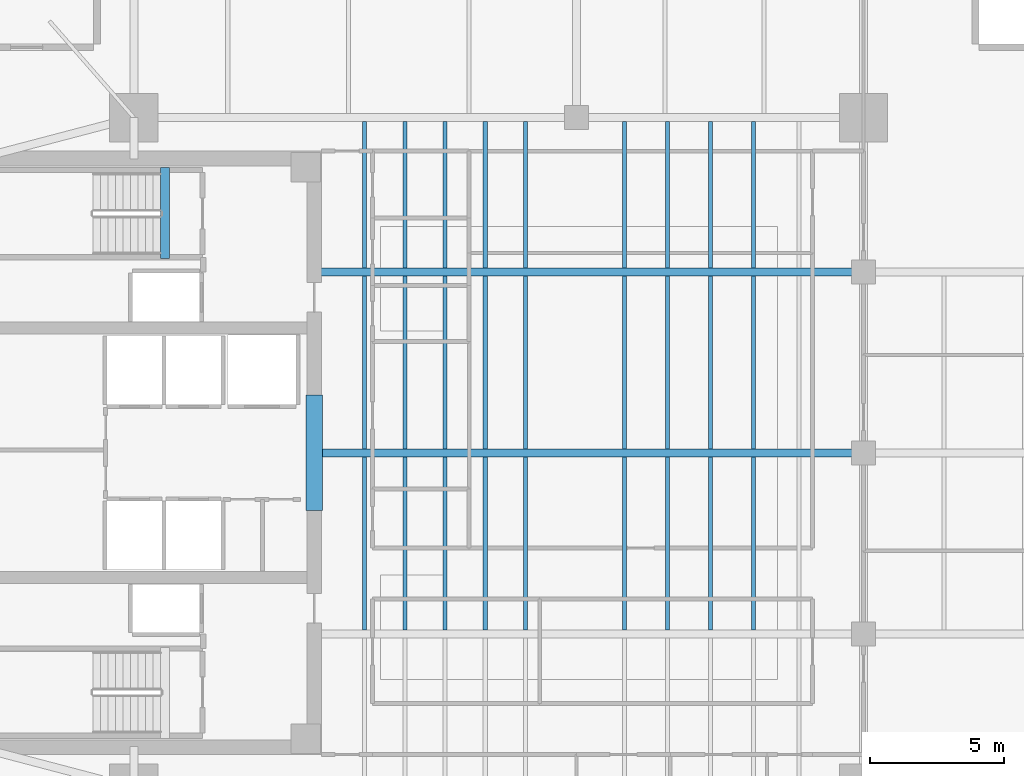
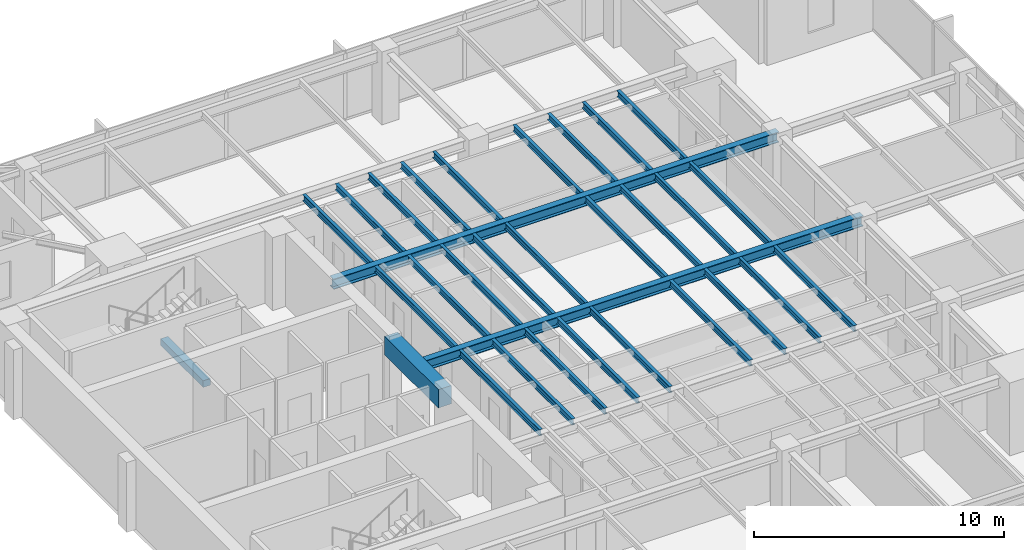
# One storey, part 3 of 14: 31 beams.
"""IFC4 building model written with IfcOpenShell, lengths in metres."""

from ifc_helpers import new_model, si_unit, direction, frame, origin, origin_2d, place, context, subcontext, project, spatial, rectangle, i_section, extrude, material, material_profile, profile_set, type_object, element, save


model = new_model("IFC4")

# Units and contexts
model_context = context("Model", 3, precision=1e-05, world=origin(), true_north=direction((0.0, 1.0)))
body_context = subcontext(model_context, "Body", "Model", "MODEL_VIEW")
ifc_project = project(units=[si_unit("LENGTHUNIT", "METRE"), si_unit("AREAUNIT", "SQUARE_METRE"), si_unit("VOLUMEUNIT", "CUBIC_METRE"), si_unit("PLANEANGLEUNIT", "RADIAN"), si_unit("MASSUNIT", "GRAM", prefix="KILO")], contexts=[model_context])

# Site, building, storey
site_placement = place(None, origin())
site = spatial("IfcSite", under=ifc_project, at=site_placement, CompositionType="ELEMENT")
building_placement = place(site_placement, origin())
building = spatial("IfcBuilding", under=site, at=building_placement, Name="Kinhvarn Gate Tower", CompositionType="ELEMENT")
storey_placement = place(building_placement, frame((0.0, 0.0, 227.10009765625)))
storey = spatial("IfcBuildingStorey", under=building, at=storey_placement, Name="L60", CompositionType="ELEMENT", Elevation=227.10009765625)

# Beams
ifc_material_1 = material(Name="Concrete C60/75", Category="concrete")
ifc_material_profile_1 = material_profile(ifc_material_1, rectangle(XDim=0.60009765625, YDim=0.89990234375, at=origin_2d()), Name="RC 600x900")
ifc_profile_set_1 = profile_set([ifc_material_profile_1], Name="Concrete C60/75")
beam_type_1 = type_object("IfcBeamType", Name="BM-CB-900", PredefinedType="LINTEL", material=ifc_profile_set_1)
beam_1_placement = place(storey_placement, frame((17.72509765625, 23.10009765625, 2.919921875), z_axis=(0.0, 1.0, 0.0), x_axis=(-1.0, 0.0, 0.0)))
element("IfcBeam", 1, at=beam_1_placement, inside=storey, type_object=beam_type_1, Name="Core East Portal Coupling Beam L60", PredefinedType="LINTEL", context=body_context, shape_type="SweptSolid", body=[
    extrude(rectangle(XDim=0.60009765625, YDim=0.89990234375, at=origin_2d()), origin(), (0.0, 0.0, 1.0), 4.2998046875),
])
ifc_material_2 = material(Name="Concrete C50/60", Category="concrete")
ifc_material_profile_2 = material_profile(ifc_material_2, rectangle(XDim=0.340087890625, YDim=0.320068359375, at=origin_2d()), Name="RC 340x320")
ifc_profile_set_2 = profile_set([ifc_material_profile_2], Name="Concrete C50/60")
beam_type_2 = type_object("IfcBeamType", Name="BM-LND-500", PredefinedType="BEAM", material=ifc_profile_set_2)
beam_2_placement = place(storey_placement, frame((12.1650390625, 32.5, -0.16015625), z_axis=(0.0, 1.0, 0.0), x_axis=(-1.0, 0.0, 0.0)))
element("IfcBeam", 2, at=beam_2_placement, inside=storey, type_object=beam_type_2, Name="Stair ST2 Landing Nosing Beam (L60)", PredefinedType="BEAM", context=body_context, shape_type="SweptSolid", body=[
    extrude(rectangle(XDim=0.340087890625, YDim=0.320068359375, at=origin_2d()), origin(), (0.0, 0.0, 1.0), 3.39990234375),
])
ifc_material_3 = material(Name="Steel S355", Category="steel")
ifc_material_profile_3 = material_profile(ifc_material_3, i_section(OverallWidth=0.300048828125, OverallDepth=0.5, WebThickness=0.014404296875, FlangeThickness=0.028076171875, at=origin_2d()), Name="HEB 500")
ifc_profile_set_3 = profile_set([ifc_material_profile_3], Name="Steel S355")
beam_type_3 = type_object("IfcBeamType", Name="STL-HEB500", PredefinedType="BEAM", material=ifc_profile_set_3)
beam_3_placement = place(storey_placement, frame((18.02490234375, 25.25, 3.119873046875), z_axis=(1.0, 0.0, 0.0), x_axis=(0.0, 1.0, 0.0)))
element("IfcBeam", 3, at=beam_3_placement, inside=storey, type_object=beam_type_3, Name="Floor Beam PG-14 (L60 EW1-Y25)", PredefinedType="BEAM", context=body_context, shape_type="SweptSolid", body=[
    extrude(i_section(OverallWidth=0.300048828125, OverallDepth=0.5, WebThickness=0.014404296875, FlangeThickness=0.028076171875, at=origin_2d()), origin(), (0.0, 0.0, 1.0), 20.175048828125),
])
beam_4_placement = place(storey_placement, frame((17.64990234375, 32.0, 3.119873046875), z_axis=(1.0, 0.0, 0.0), x_axis=(0.0, 1.0, 0.0)))
element("IfcBeam", 4, at=beam_4_placement, inside=storey, type_object=beam_type_3, Name="Floor Beam PG-14 (L60 EW1-Y32)", PredefinedType="BEAM", context=body_context, shape_type="SweptSolid", body=[
    extrude(i_section(OverallWidth=0.300048828125, OverallDepth=0.5, WebThickness=0.014404296875, FlangeThickness=0.028076171875, at=origin_2d()), origin(), (0.0, 0.0, 1.0), 20.550048828125),
])
ifc_material_profile_4 = material_profile(ifc_material_3, i_section(OverallWidth=0.14990234375, OverallDepth=0.300048828125, WebThickness=0.007080078125, FlangeThickness=0.0107421875, at=origin_2d()), Name="IPE 300")
ifc_profile_set_4 = profile_set([ifc_material_profile_4], Name="Steel S355")
beam_type_4 = type_object("IfcBeamType", Name="STL-IPE300", PredefinedType="JOIST", material=ifc_profile_set_4)
for number, where, z_axis, x_axis, name in (
    (5, (19.60009765625, 18.64990234375, 3.219970703125), (0.0, 1.0, 0.0), (-1.0, 0.0, 0.0), "Floor Joist SB-02 (L60 JC-X196-1)"),
    (6, (19.60009765625, 25.39990234375, 3.219970703125), (0.0, 1.0, 0.0), (-1.0, 0.0, 0.0), "Floor Joist SB-02 (L60 JC-X196-2)"),
):
    element("IfcBeam", number, at=place(storey_placement, frame(where, z_axis=z_axis, x_axis=x_axis)), inside=storey, type_object=beam_type_4, Name=name, PredefinedType="JOIST", context=body_context, shape_type="SweptSolid", body=[
        extrude(i_section(OverallWidth=0.14990234375, OverallDepth=0.300048828125, WebThickness=0.007080078125, FlangeThickness=0.0107421875, at=origin_2d()), origin(), (0.0, 0.0, 1.0), 6.4501953125),
    ])
beam_5_placement = place(storey_placement, frame((19.60009765625, 32.14990234375, 3.219970703125), z_axis=(0.0, 1.0, 0.0), x_axis=(-1.0, 0.0, 0.0)))
element("IfcBeam", 7, at=beam_5_placement, inside=storey, type_object=beam_type_4, Name="Floor Joist SB-02 (L60 JC-X196-3)", PredefinedType="JOIST", context=body_context, shape_type="SweptSolid", body=[
    extrude(i_section(OverallWidth=0.14990234375, OverallDepth=0.300048828125, WebThickness=0.007080078125, FlangeThickness=0.0107421875, at=origin_2d()), origin(), (0.0, 0.0, 1.0), 5.4501953125),
])
for number, where, z_axis, x_axis, name in (
    (8, (21.10009765625, 18.64990234375, 3.219970703125), (0.0, 1.0, 0.0), (-1.0, 0.0, 0.0), "Floor Joist SB-02 (L60 JC-X211-1)"),
    (9, (21.10009765625, 25.39990234375, 3.219970703125), (0.0, 1.0, 0.0), (-1.0, 0.0, 0.0), "Floor Joist SB-02 (L60 JC-X211-2)"),
):
    element("IfcBeam", number, at=place(storey_placement, frame(where, z_axis=z_axis, x_axis=x_axis)), inside=storey, type_object=beam_type_4, Name=name, PredefinedType="JOIST", context=body_context, shape_type="SweptSolid", body=[
        extrude(i_section(OverallWidth=0.14990234375, OverallDepth=0.300048828125, WebThickness=0.007080078125, FlangeThickness=0.0107421875, at=origin_2d()), origin(), (0.0, 0.0, 1.0), 6.4501953125),
    ])
beam_6_placement = place(storey_placement, frame((21.10009765625, 32.14990234375, 3.219970703125), z_axis=(0.0, 1.0, 0.0), x_axis=(-1.0, 0.0, 0.0)))
element("IfcBeam", 10, at=beam_6_placement, inside=storey, type_object=beam_type_4, Name="Floor Joist SB-02 (L60 JC-X211-3)", PredefinedType="JOIST", context=body_context, shape_type="SweptSolid", body=[
    extrude(i_section(OverallWidth=0.14990234375, OverallDepth=0.300048828125, WebThickness=0.007080078125, FlangeThickness=0.0107421875, at=origin_2d()), origin(), (0.0, 0.0, 1.0), 5.4501953125),
])
for number, where, z_axis, x_axis, name in (
    (11, (22.60009765625, 18.64990234375, 3.219970703125), (0.0, 1.0, 0.0), (-1.0, 0.0, 0.0), "Floor Joist SB-02 (L60 JC-X226-1)"),
    (12, (22.60009765625, 25.39990234375, 3.219970703125), (0.0, 1.0, 0.0), (-1.0, 0.0, 0.0), "Floor Joist SB-02 (L60 JC-X226-2)"),
):
    element("IfcBeam", number, at=place(storey_placement, frame(where, z_axis=z_axis, x_axis=x_axis)), inside=storey, type_object=beam_type_4, Name=name, PredefinedType="JOIST", context=body_context, shape_type="SweptSolid", body=[
        extrude(i_section(OverallWidth=0.14990234375, OverallDepth=0.300048828125, WebThickness=0.007080078125, FlangeThickness=0.0107421875, at=origin_2d()), origin(), (0.0, 0.0, 1.0), 6.4501953125),
    ])
beam_7_placement = place(storey_placement, frame((22.60009765625, 32.14990234375, 3.219970703125), z_axis=(0.0, 1.0, 0.0), x_axis=(-1.0, 0.0, 0.0)))
element("IfcBeam", 13, at=beam_7_placement, inside=storey, type_object=beam_type_4, Name="Floor Joist SB-02 (L60 JC-X226-3)", PredefinedType="JOIST", context=body_context, shape_type="SweptSolid", body=[
    extrude(i_section(OverallWidth=0.14990234375, OverallDepth=0.300048828125, WebThickness=0.007080078125, FlangeThickness=0.0107421875, at=origin_2d()), origin(), (0.0, 0.0, 1.0), 5.4501953125),
])
for number, where, z_axis, x_axis, name in (
    (14, (24.10009765625, 18.64990234375, 3.219970703125), (0.0, 1.0, 0.0), (-1.0, 0.0, 0.0), "Floor Joist SB-02 (L60 JC-X241-1)"),
    (15, (24.10009765625, 25.39990234375, 3.219970703125), (0.0, 1.0, 0.0), (-1.0, 0.0, 0.0), "Floor Joist SB-02 (L60 JC-X241-2)"),
):
    element("IfcBeam", number, at=place(storey_placement, frame(where, z_axis=z_axis, x_axis=x_axis)), inside=storey, type_object=beam_type_4, Name=name, PredefinedType="JOIST", context=body_context, shape_type="SweptSolid", body=[
        extrude(i_section(OverallWidth=0.14990234375, OverallDepth=0.300048828125, WebThickness=0.007080078125, FlangeThickness=0.0107421875, at=origin_2d()), origin(), (0.0, 0.0, 1.0), 6.4501953125),
    ])
beam_8_placement = place(storey_placement, frame((24.10009765625, 32.14990234375, 3.219970703125), z_axis=(0.0, 1.0, 0.0), x_axis=(-1.0, 0.0, 0.0)))
element("IfcBeam", 16, at=beam_8_placement, inside=storey, type_object=beam_type_4, Name="Floor Joist SB-02 (L60 JC-X241-3)", PredefinedType="JOIST", context=body_context, shape_type="SweptSolid", body=[
    extrude(i_section(OverallWidth=0.14990234375, OverallDepth=0.300048828125, WebThickness=0.007080078125, FlangeThickness=0.0107421875, at=origin_2d()), origin(), (0.0, 0.0, 1.0), 5.4501953125),
])
for number, where, z_axis, x_axis, name in (
    (17, (25.60009765625, 18.64990234375, 3.219970703125), (0.0, 1.0, 0.0), (-1.0, 0.0, 0.0), "Floor Joist SB-02 (L60 JC-X256-1)"),
    (18, (25.60009765625, 25.39990234375, 3.219970703125), (0.0, 1.0, 0.0), (-1.0, 0.0, 0.0), "Floor Joist SB-02 (L60 JC-X256-2)"),
):
    element("IfcBeam", number, at=place(storey_placement, frame(where, z_axis=z_axis, x_axis=x_axis)), inside=storey, type_object=beam_type_4, Name=name, PredefinedType="JOIST", context=body_context, shape_type="SweptSolid", body=[
        extrude(i_section(OverallWidth=0.14990234375, OverallDepth=0.300048828125, WebThickness=0.007080078125, FlangeThickness=0.0107421875, at=origin_2d()), origin(), (0.0, 0.0, 1.0), 6.4501953125),
    ])
beam_9_placement = place(storey_placement, frame((25.60009765625, 32.14990234375, 3.219970703125), z_axis=(0.0, 1.0, 0.0), x_axis=(-1.0, 0.0, 0.0)))
element("IfcBeam", 19, at=beam_9_placement, inside=storey, type_object=beam_type_4, Name="Floor Joist SB-02 (L60 JC-X256-3)", PredefinedType="JOIST", context=body_context, shape_type="SweptSolid", body=[
    extrude(i_section(OverallWidth=0.14990234375, OverallDepth=0.300048828125, WebThickness=0.007080078125, FlangeThickness=0.0107421875, at=origin_2d()), origin(), (0.0, 0.0, 1.0), 5.4501953125),
])
for number, where, z_axis, x_axis, name in (
    (20, (29.300048828125, 18.64990234375, 3.219970703125), (0.0, 1.0, 0.0), (-1.0, 0.0, 0.0), "Floor Joist SB-02 (L60 JC-X293-1)"),
    (21, (29.300048828125, 25.39990234375, 3.219970703125), (0.0, 1.0, 0.0), (-1.0, 0.0, 0.0), "Floor Joist SB-02 (L60 JC-X293-2)"),
):
    element("IfcBeam", number, at=place(storey_placement, frame(where, z_axis=z_axis, x_axis=x_axis)), inside=storey, type_object=beam_type_4, Name=name, PredefinedType="JOIST", context=body_context, shape_type="SweptSolid", body=[
        extrude(i_section(OverallWidth=0.14990234375, OverallDepth=0.300048828125, WebThickness=0.007080078125, FlangeThickness=0.0107421875, at=origin_2d()), origin(), (0.0, 0.0, 1.0), 6.4501953125),
    ])
beam_10_placement = place(storey_placement, frame((29.300048828125, 32.14990234375, 3.219970703125), z_axis=(0.0, 1.0, 0.0), x_axis=(-1.0, 0.0, 0.0)))
element("IfcBeam", 22, at=beam_10_placement, inside=storey, type_object=beam_type_4, Name="Floor Joist SB-02 (L60 JC-X293-3)", PredefinedType="JOIST", context=body_context, shape_type="SweptSolid", body=[
    extrude(i_section(OverallWidth=0.14990234375, OverallDepth=0.300048828125, WebThickness=0.007080078125, FlangeThickness=0.0107421875, at=origin_2d()), origin(), (0.0, 0.0, 1.0), 5.4501953125),
])
for number, where, z_axis, x_axis, name in (
    (23, (30.89990234375, 18.64990234375, 3.219970703125), (0.0, 1.0, 0.0), (-1.0, 0.0, 0.0), "Floor Joist SB-02 (L60 JC-X309-1)"),
    (24, (30.89990234375, 25.39990234375, 3.219970703125), (0.0, 1.0, 0.0), (-1.0, 0.0, 0.0), "Floor Joist SB-02 (L60 JC-X309-2)"),
):
    element("IfcBeam", number, at=place(storey_placement, frame(where, z_axis=z_axis, x_axis=x_axis)), inside=storey, type_object=beam_type_4, Name=name, PredefinedType="JOIST", context=body_context, shape_type="SweptSolid", body=[
        extrude(i_section(OverallWidth=0.14990234375, OverallDepth=0.300048828125, WebThickness=0.007080078125, FlangeThickness=0.0107421875, at=origin_2d()), origin(), (0.0, 0.0, 1.0), 6.4501953125),
    ])
beam_11_placement = place(storey_placement, frame((30.89990234375, 32.14990234375, 3.219970703125), z_axis=(0.0, 1.0, 0.0), x_axis=(-1.0, 0.0, 0.0)))
element("IfcBeam", 25, at=beam_11_placement, inside=storey, type_object=beam_type_4, Name="Floor Joist SB-02 (L60 JC-X309-3)", PredefinedType="JOIST", context=body_context, shape_type="SweptSolid", body=[
    extrude(i_section(OverallWidth=0.14990234375, OverallDepth=0.300048828125, WebThickness=0.007080078125, FlangeThickness=0.0107421875, at=origin_2d()), origin(), (0.0, 0.0, 1.0), 5.4501953125),
])
for number, where, z_axis, x_axis, name in (
    (26, (32.5, 18.64990234375, 3.219970703125), (0.0, 1.0, 0.0), (-1.0, 0.0, 0.0), "Floor Joist SB-02 (L60 JC-X325-1)"),
    (27, (32.5, 25.39990234375, 3.219970703125), (0.0, 1.0, 0.0), (-1.0, 0.0, 0.0), "Floor Joist SB-02 (L60 JC-X325-2)"),
):
    element("IfcBeam", number, at=place(storey_placement, frame(where, z_axis=z_axis, x_axis=x_axis)), inside=storey, type_object=beam_type_4, Name=name, PredefinedType="JOIST", context=body_context, shape_type="SweptSolid", body=[
        extrude(i_section(OverallWidth=0.14990234375, OverallDepth=0.300048828125, WebThickness=0.007080078125, FlangeThickness=0.0107421875, at=origin_2d()), origin(), (0.0, 0.0, 1.0), 6.4501953125),
    ])
beam_12_placement = place(storey_placement, frame((32.5, 32.14990234375, 3.219970703125), z_axis=(0.0, 1.0, 0.0), x_axis=(-1.0, 0.0, 0.0)))
element("IfcBeam", 28, at=beam_12_placement, inside=storey, type_object=beam_type_4, Name="Floor Joist SB-02 (L60 JC-X325-3)", PredefinedType="JOIST", context=body_context, shape_type="SweptSolid", body=[
    extrude(i_section(OverallWidth=0.14990234375, OverallDepth=0.300048828125, WebThickness=0.007080078125, FlangeThickness=0.0107421875, at=origin_2d()), origin(), (0.0, 0.0, 1.0), 5.4501953125),
])
for number, where, z_axis, x_axis, name in (
    (29, (34.10009765625, 18.64990234375, 3.219970703125), (0.0, 1.0, 0.0), (-1.0, 0.0, 0.0), "Floor Joist SB-02 (L60 JC-X341-1)"),
    (30, (34.10009765625, 25.39990234375, 3.219970703125), (0.0, 1.0, 0.0), (-1.0, 0.0, 0.0), "Floor Joist SB-02 (L60 JC-X341-2)"),
):
    element("IfcBeam", number, at=place(storey_placement, frame(where, z_axis=z_axis, x_axis=x_axis)), inside=storey, type_object=beam_type_4, Name=name, PredefinedType="JOIST", context=body_context, shape_type="SweptSolid", body=[
        extrude(i_section(OverallWidth=0.14990234375, OverallDepth=0.300048828125, WebThickness=0.007080078125, FlangeThickness=0.0107421875, at=origin_2d()), origin(), (0.0, 0.0, 1.0), 6.4501953125),
    ])
beam_13_placement = place(storey_placement, frame((34.10009765625, 32.14990234375, 3.219970703125), z_axis=(0.0, 1.0, 0.0), x_axis=(-1.0, 0.0, 0.0)))
element("IfcBeam", 31, at=beam_13_placement, inside=storey, type_object=beam_type_4, Name="Floor Joist SB-02 (L60 JC-X341-3)", PredefinedType="JOIST", context=body_context, shape_type="SweptSolid", body=[
    extrude(i_section(OverallWidth=0.14990234375, OverallDepth=0.300048828125, WebThickness=0.007080078125, FlangeThickness=0.0107421875, at=origin_2d()), origin(), (0.0, 0.0, 1.0), 5.4501953125),
])

save(model, "model.ifc")
